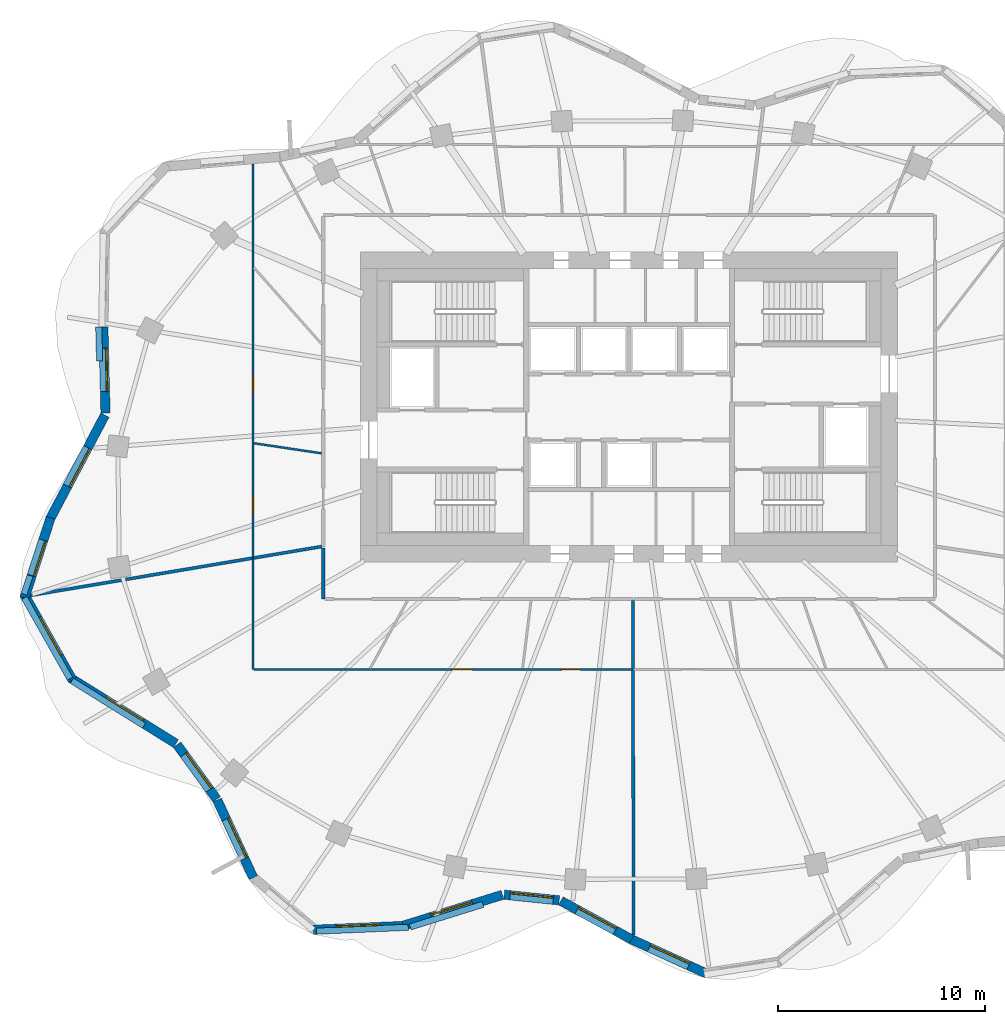
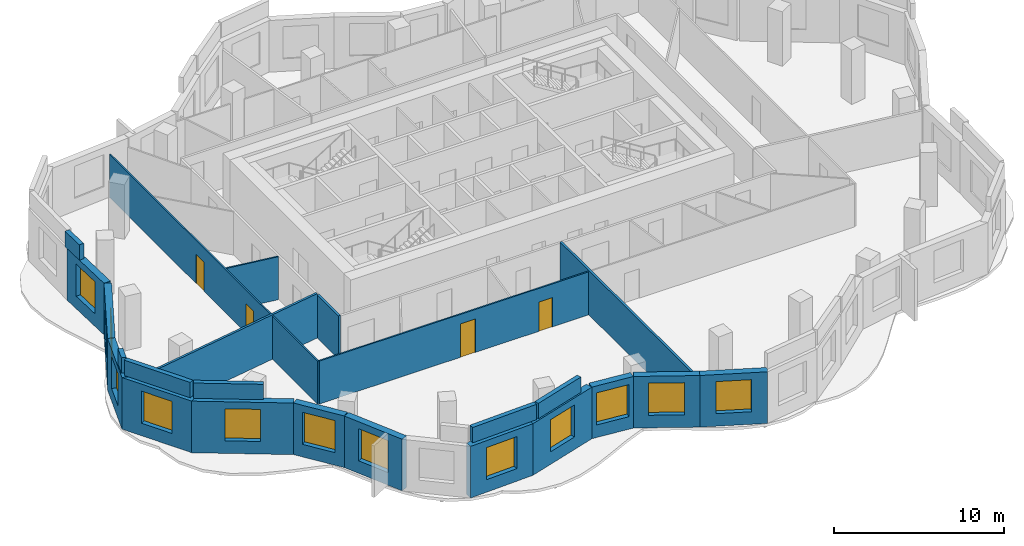
# One storey, part 3 of 9: 25 walls, 12 windows, 4 doors, 16 openings.
"""IFC4 building model written with IfcOpenShell, lengths in metres."""

import ifcopenshell
import ifcopenshell.guid

model = None  # the IFC model being written
_history = None  # IfcOwnerHistory: only IFC2X3 demands one
_inside = {}  # id of a spatial element -> (the spatial element, [elements in it])
_under = {}  # id of a project, library or spatial element -> (it, [spatial elements below it])
_declared = {}  # id of a project -> (the project, [libraries it declares])
_typed = {}  # id of a type object -> (the type object, [elements of that type])
_made_of = {}  # id of a material, layer set ... -> (it, [elements and type objects made of it])


def new_model(schema):
    """Start an empty IFC model of exactly this schema.

    Asked for "IFC4X3", IfcOpenShell would pick the latest addendum, in which some entities
    have other attributes; the version numbers below select the first issue.
    IFC2X3 requires an IfcOwnerHistory on every rooted entity: one is made here for all.
    """
    global model, _history
    if schema == "IFC4X3":
        model = ifcopenshell.file(schema_version=(4, 3, 0, 0))
    else:
        model = ifcopenshell.file(schema=schema)
    _inside.clear()
    _under.clear()
    _declared.clear()
    _typed.clear()
    _made_of.clear()
    _history = None
    if model.schema == "IFC2X3":
        org = make("IfcOrganization", Name="unknown")
        user = make(
            "IfcPersonAndOrganization",
            ThePerson=make("IfcPerson", FamilyName="unknown"),
            TheOrganization=org,
        )
        app = make(
            "IfcApplication",
            ApplicationDeveloper=org,
            Version="unknown",
            ApplicationFullName="unknown",
            ApplicationIdentifier="unknown",
        )
        _history = make(
            "IfcOwnerHistory",
            OwningUser=user,
            OwningApplication=app,
            ChangeAction="ADDED",
            CreationDate=0,
        )
    return model


def make(cls, **values):
    """One entity of the class cls with the attributes given. An attribute that is None is left unset."""
    return model.create_entity(
        cls, **{name: value for name, value in values.items() if value is not None}
    )


def rooted(cls, **values):
    """An entity with a GlobalId (a new one), such as an element, a storey or a relation."""
    return make(cls, GlobalId=ifcopenshell.guid.new(), OwnerHistory=_history, **values)


def si_unit(unit_type, name, prefix=None):
    """IfcSIUnit, for example si_unit("LENGTHUNIT", "METRE", prefix="MILLI")."""
    return make("IfcSIUnit", UnitType=unit_type, Prefix=prefix, Name=name)


def assignment(units):
    """IfcUnitAssignment: the units of a project."""
    return None if units is None else make("IfcUnitAssignment", Units=units)


def point(xyz):
    """IfcCartesianPoint."""
    return None if xyz is None else make("IfcCartesianPoint", Coordinates=xyz)


def direction(xyz):
    """IfcDirection."""
    return None if xyz is None else make("IfcDirection", DirectionRatios=xyz)


def frame(location, z_axis=None, x_axis=None):
    """IfcAxis2Placement3D, a coordinate frame: its origin and axes. An axis left out is left unset."""
    return make(
        "IfcAxis2Placement3D",
        Location=point(location),
        Axis=direction(z_axis),
        RefDirection=direction(x_axis),
    )


def frame_2d(location, x_axis=None):
    """IfcAxis2Placement2D, a coordinate frame in the plane: its origin and x axis."""
    return make(
        "IfcAxis2Placement2D", Location=point(location), RefDirection=direction(x_axis)
    )


def origin():
    """The frame at (0, 0, 0) with its axes left unset."""
    return frame((0.0, 0.0, 0.0))


def place(relative_to, where):
    """IfcLocalPlacement: puts the frame where relative to a parent placement (None: the world)."""
    return make(
        "IfcLocalPlacement", PlacementRelTo=relative_to, RelativePlacement=where
    )


def context(
    kind, dimensions, precision=None, world=None, true_north=None, identifier=None
):
    """IfcGeometricRepresentationContext, for example the 3D "Model" context."""
    return make(
        "IfcGeometricRepresentationContext",
        ContextIdentifier=identifier,
        ContextType=kind,
        CoordinateSpaceDimension=dimensions,
        Precision=precision,
        WorldCoordinateSystem=world,
        TrueNorth=true_north,
    )


def subcontext(parent, identifier, kind, view, scale=None):
    """IfcGeometricRepresentationSubContext, for example "Body" below "Model"."""
    return make(
        "IfcGeometricRepresentationSubContext",
        ContextIdentifier=identifier,
        ContextType=kind,
        ParentContext=parent,
        TargetScale=scale,
        TargetView=view,
    )


def project(units=None, contexts=None):
    """IfcProject with its units and contexts."""
    return rooted(
        "IfcProject",
        Name="project",
        RepresentationContexts=contexts,
        UnitsInContext=assignment(units),
    )


def spatial(cls, under=None, at=None, **own):
    """A site, building, storey or space (cls), placed at a placement, below another one or the project."""
    s = rooted(cls, ObjectPlacement=at, **own)
    if under is not None:
        _under.setdefault(under.id(), (under, []))[1].append(s)
    return s


def profile(cls, at=None, kind="AREA", **sizes):
    """A parametric profile (cls). Its sizes go by their IFC names, for example OverallWidth=200.0."""
    return make(cls, ProfileType=kind, Position=at, **sizes)


def rectangle(**sizes):
    """IfcRectangleProfileDef."""
    return profile("IfcRectangleProfileDef", **sizes)


def extrude(swept, where, along, depth):
    """IfcExtrudedAreaSolid: the profile swept, set in the frame where, extruded along a direction by depth."""
    return make(
        "IfcExtrudedAreaSolid",
        SweptArea=swept,
        Position=where,
        ExtrudedDirection=direction(along),
        Depth=depth,
    )


def shape(context_of_items, identifier, shape_type, items):
    """IfcShapeRepresentation: the items that make up one representation, for example the "Body"."""
    return make(
        "IfcShapeRepresentation",
        ContextOfItems=context_of_items,
        RepresentationIdentifier=identifier,
        RepresentationType=shape_type,
        Items=items,
    )


def material(Name=None, Category=None):
    """IfcMaterial."""
    return make("IfcMaterial", Name=Name, Category=Category)


def layer(
    of_material, thickness, ventilated=None, Name=None, Category=None, Priority=None
):
    """IfcMaterialLayer: one layer of a wall or slab, of a material (None: an air gap)."""
    return make(
        "IfcMaterialLayer",
        Material=of_material,
        LayerThickness=thickness,
        IsVentilated=ventilated,
        Name=Name,
        Category=Category,
        Priority=Priority,
    )


def layer_set(layers, Name=None):
    """IfcMaterialLayerSet."""
    return make("IfcMaterialLayerSet", MaterialLayers=layers, LayerSetName=Name)


def made_of(thing, what):
    """Note that an element or type object is made of a material, layer set ...; save() writes the relation."""
    if what is not None:
        _made_of.setdefault(what.id(), (what, []))[1].append(thing)
    return thing


def type_object(cls, material=None, **own):
    """A type object (cls), such as IfcWallType, which elements share."""
    return made_of(rooted(cls, **own), material)


def element(
    cls,
    number,
    at=None,
    inside=None,
    cuts=None,
    type_object=None,
    material=None,
    context=None,
    identifier="Body",
    shape_type=None,
    held_by="IfcProductDefinitionShape",
    body=None,
    shapes=None,
    **own,
):
    """One element of the class cls, such as IfcWall. Its Tag is "e" and its number.

    at: its placement. inside: the storey or other place that contains it. cuts: it is an
    opening in that element (IfcRelVoidsElement). A single representation is given by context,
    identifier, shape_type and body (its items); several are given by shapes. held_by: the class
    of the entity that holds the representations. save() writes the other relations.
    """
    e = rooted(cls, Tag="e%d" % number, ObjectPlacement=at, **own)
    if body is not None:
        shapes = [shape(context, identifier, shape_type, body)]
    if shapes is not None:
        e.Representation = make(held_by, Representations=shapes)
    if inside is not None:
        _inside.setdefault(inside.id(), (inside, []))[1].append(e)
    if cuts is not None:
        rooted(
            "IfcRelVoidsElement", RelatingBuildingElement=cuts, RelatedOpeningElement=e
        )
    if type_object is not None:
        _typed.setdefault(type_object.id(), (type_object, []))[1].append(e)
    return made_of(e, material)


def fill(opening, filler):
    """IfcRelFillsElement: the door or window that sits in an opening."""
    return rooted(
        "IfcRelFillsElement",
        RelatingOpeningElement=opening,
        RelatedBuildingElement=filler,
    )


def aggregate(whole, parts):
    """IfcRelAggregates: a whole, such as a stair, and the parts it consists of."""
    return rooted("IfcRelAggregates", RelatingObject=whole, RelatedObjects=parts)


def save(model, path):
    """Write the relations noted so far, then the file.

    IfcRelAggregates (storeys below a building ...), IfcRelContainedInSpatialStructure (elements
    in a storey), IfcRelDefinesByType, IfcRelAssociatesMaterial and IfcRelDeclares: one each for
    every whole, place, type object, material and project.
    """
    for whole, parts in _under.values():
        aggregate(whole, parts)
    for where, things in _inside.values():
        rooted(
            "IfcRelContainedInSpatialStructure",
            RelatedElements=things,
            RelatingStructure=where,
        )
    for kind, things in _typed.values():
        rooted("IfcRelDefinesByType", RelatedObjects=things, RelatingType=kind)
    for what, things in _made_of.values():
        rooted("IfcRelAssociatesMaterial", RelatedObjects=things, RelatingMaterial=what)
    for by, libraries in _declared.values():
        rooted("IfcRelDeclares", RelatingContext=by, RelatedDefinitions=libraries)
    model.write(path)


model = new_model("IFC4")

# Units and contexts
model_context = context("Model", 3, precision=1e-05, world=origin(), true_north=direction((0.0, 1.0)))
body_context = subcontext(model_context, "Body", "Model", "MODEL_VIEW")
ifc_project = project(units=[si_unit("LENGTHUNIT", "METRE"), si_unit("AREAUNIT", "SQUARE_METRE"), si_unit("VOLUMEUNIT", "CUBIC_METRE"), si_unit("PLANEANGLEUNIT", "RADIAN"), si_unit("MASSUNIT", "GRAM", prefix="KILO")], contexts=[model_context])

# Site, building, storey
site_placement = place(None, origin())
site = spatial("IfcSite", under=ifc_project, at=site_placement, CompositionType="ELEMENT")
building_placement = place(site_placement, origin())
building = spatial("IfcBuilding", under=site, at=building_placement, Name="Rubra Terraces Tower", CompositionType="ELEMENT")
storey_placement = place(building_placement, frame((0.0, 0.0, 225.300048828125)))
storey = spatial("IfcBuildingStorey", under=building, at=storey_placement, Name="L55", CompositionType="ELEMENT", Elevation=225.300048828125)

# Wall, opening, window
ifc_material_1 = material(Name="Brick masonry red-brown", Category="masonry")
ifc_layer_1 = layer(ifc_material_1, 0.449951171875)
ifc_layer_set_1 = layer_set([ifc_layer_1], Name="Brick masonry red-brown")
wall_type_1 = type_object("IfcWallType", Name="Brick facade wall 450", PredefinedType="SOLIDWALL", material=ifc_layer_set_1)
wall_1_placement = place(storey_placement, frame((-25.44091796875, 8.375, 0.0), z_axis=(0.0, 0.0, 1.0), x_axis=(0.024385850259, -0.999702620936, 0.0)))
wall_1 = element("IfcWall", 1, at=wall_1_placement, inside=storey, type_object=wall_type_1, Name="Facade wall L55 bay 19", PredefinedType="SOLIDWALL", context=body_context, shape_type="SweptSolid", body=[
    extrude(rectangle(XDim=4.164794921875, YDim=0.449951171875, at=frame_2d((2.08251953125, 0.0))), origin(), (0.0, 0.0, 1.0), 3.699951171875),
])
opening_1_placement = place(wall_1_placement, frame((1.032470703125, 0.0, 0.89990234375)))
opening_1 = element("IfcOpeningElement", 2, at=opening_1_placement, cuts=wall_1, Name="Opening W1B", PredefinedType="OPENING", context=body_context, shape_type="SweptSolid", body=[
    extrude(rectangle(XDim=2.10009765625, YDim=2.300048828125, at=frame_2d((1.050048828125, 1.14990234375))), frame((0.0, 0.23486328125, 0.0), z_axis=(0.0, -1.0, 0.0), x_axis=(1.0, 0.0, 0.0)), (0.0, 0.0, 1.0), 0.469970703125),
])
ifc_material_2 = material(Name="Clear glass in aluminium frame", Category="aluminium")
window_type_1 = type_object("IfcWindowType", Name="Fixed deep-set window tall storey 2100 x 2300", PartitioningType="SINGLE_PANEL", PredefinedType="WINDOW", material=ifc_material_2)
window_1_placement = place(opening_1_placement, origin())
window_1 = element("IfcWindow", 3, at=window_1_placement, inside=storey, type_object=window_type_1, Name="Window L55 bay 19", OverallHeight=2.300048828125, OverallWidth=2.10009765625, PartitioningType="SINGLE_PANEL", PredefinedType="WINDOW", context=body_context, shape_type="SweptSolid", body=[
    extrude(rectangle(XDim=2.10009765625, YDim=2.300048828125, at=frame_2d((1.050048828125, 1.14990234375))), frame((0.0, 0.135009765625, 0.0), z_axis=(0.0, -1.0, 0.0), x_axis=(1.0, 0.0, 0.0)), (0.0, 0.0, 1.0), 0.06005859375),
])
fill(opening_1, window_1)

wall_2_placement = place(storey_placement, frame((-25.365478515625, 4.10693359375, 0.0), z_axis=(0.0, 0.0, 1.0), x_axis=(-0.467239399168, -0.884130840919, 0.0)))
wall_2 = element("IfcWall", 4, at=wall_2_placement, inside=storey, type_object=wall_type_1, Name="Facade wall L55 bay 20", PredefinedType="SOLIDWALL", context=body_context, shape_type="SweptSolid", body=[
    extrude(rectangle(XDim=5.658935546875, YDim=0.449951171875, at=frame_2d((2.82958984375, 0.0))), origin(), (0.0, 0.0, 1.0), 3.699951171875),
])
opening_2_placement = place(wall_2_placement, frame((1.779296875, 0.0, 0.89990234375)))
opening_2 = element("IfcOpeningElement", 5, at=opening_2_placement, cuts=wall_2, Name="Opening W1B", PredefinedType="OPENING", context=body_context, shape_type="SweptSolid", body=[
    extrude(rectangle(XDim=2.10009765625, YDim=2.300048828125, at=frame_2d((1.050048828125, 1.14990234375))), frame((0.0, 0.23486328125, 0.0), z_axis=(0.0, -1.0, 0.0), x_axis=(1.0, 0.0, 0.0)), (0.0, 0.0, 1.0), 0.469970703125),
])
window_2_placement = place(opening_2_placement, origin())
window_2 = element("IfcWindow", 6, at=window_2_placement, inside=storey, type_object=window_type_1, Name="Window L55 bay 20", OverallHeight=2.300048828125, OverallWidth=2.10009765625, PartitioningType="SINGLE_PANEL", PredefinedType="WINDOW", context=body_context, shape_type="SweptSolid", body=[
    extrude(rectangle(XDim=2.10009765625, YDim=2.300048828125, at=frame_2d((1.050048828125, 1.14990234375))), frame((0.0, 0.135009765625, 0.0), z_axis=(0.0, -1.0, 0.0), x_axis=(1.0, 0.0, 0.0)), (0.0, 0.0, 1.0), 0.06005859375),
])
fill(opening_2, window_2)

wall_3_placement = place(storey_placement, frame((-27.99462890625, -0.861083984375, 0.0), z_axis=(0.0, 0.0, 1.0), x_axis=(-0.310693110673, -0.950510279261, 0.0)))
wall_3 = element("IfcWall", 7, at=wall_3_placement, inside=storey, type_object=wall_type_1, Name="Facade wall L55 bay 21", PredefinedType="SOLIDWALL", context=body_context, shape_type="SweptSolid", body=[
    extrude(rectangle(XDim=4.079833984375, YDim=0.449951171875, at=frame_2d((2.0400390625, 0.0))), origin(), (0.0, 0.0, 1.0), 3.699951171875),
])
opening_3_placement = place(wall_3_placement, frame((1.139892578125, 0.0, 0.89990234375)))
opening_3 = element("IfcOpeningElement", 8, at=opening_3_placement, cuts=wall_3, Name="Opening W6B", PredefinedType="OPENING", context=body_context, shape_type="SweptSolid", body=[
    extrude(rectangle(XDim=1.800048828125, YDim=2.300048828125, at=frame_2d((0.89990234375, 1.14990234375))), frame((0.0, 0.23486328125, 0.0), z_axis=(0.0, -1.0, 0.0), x_axis=(1.0, 0.0, 0.0)), (0.0, 0.0, 1.0), 0.469970703125),
])
window_type_2 = type_object("IfcWindowType", Name="Fixed deep-set window at wind fin tall storey 1800 x 2300", PartitioningType="SINGLE_PANEL", PredefinedType="WINDOW", material=ifc_material_2)
window_3_placement = place(opening_3_placement, origin())
window_3 = element("IfcWindow", 9, at=window_3_placement, inside=storey, type_object=window_type_2, Name="Window L55 bay 21", OverallHeight=2.300048828125, OverallWidth=1.800048828125, PartitioningType="SINGLE_PANEL", PredefinedType="WINDOW", context=body_context, shape_type="SweptSolid", body=[
    extrude(rectangle(XDim=1.800048828125, YDim=2.300048828125, at=frame_2d((0.89990234375, 1.14990234375))), frame((0.0, 0.135009765625, 0.0), z_axis=(0.0, -1.0, 0.0), x_axis=(1.0, 0.0, 0.0)), (0.0, 0.0, 1.0), 0.06005859375),
])
fill(opening_3, window_3)

wall_4_placement = place(storey_placement, frame((-29.280029296875, -4.558349609375, 0.0), z_axis=(0.0, 0.0, 1.0), x_axis=(0.491511608999, -0.870871022723, 0.0)))
wall_4 = element("IfcWall", 10, at=wall_4_placement, inside=storey, type_object=wall_type_1, Name="Facade wall L55 bay 22", PredefinedType="SOLIDWALL", context=body_context, shape_type="SweptSolid", body=[
    extrude(rectangle(XDim=4.762939453125, YDim=0.449951171875, at=frame_2d((2.38134765625, 0.0))), origin(), (0.0, 0.0, 1.0), 3.699951171875),
])
opening_4_placement = place(wall_4_placement, frame((1.33154296875, 0.0, 0.89990234375)))
opening_4 = element("IfcOpeningElement", 11, at=opening_4_placement, cuts=wall_4, Name="Opening W1B", PredefinedType="OPENING", context=body_context, shape_type="SweptSolid", body=[
    extrude(rectangle(XDim=2.10009765625, YDim=2.300048828125, at=frame_2d((1.050048828125, 1.14990234375))), frame((0.0, 0.23486328125, 0.0), z_axis=(0.0, -1.0, 0.0), x_axis=(1.0, 0.0, 0.0)), (0.0, 0.0, 1.0), 0.469970703125),
])
window_4_placement = place(opening_4_placement, origin())
window_4 = element("IfcWindow", 12, at=window_4_placement, inside=storey, type_object=window_type_1, Name="Window L55 bay 22", OverallHeight=2.300048828125, OverallWidth=2.10009765625, PartitioningType="SINGLE_PANEL", PredefinedType="WINDOW", context=body_context, shape_type="SweptSolid", body=[
    extrude(rectangle(XDim=2.10009765625, YDim=2.300048828125, at=frame_2d((1.050048828125, 1.14990234375))), frame((0.0, 0.135009765625, 0.0), z_axis=(0.0, -1.0, 0.0), x_axis=(1.0, 0.0, 0.0)), (0.0, 0.0, 1.0), 0.06005859375),
])
fill(opening_4, window_4)

wall_5_placement = place(storey_placement, frame((-27.01611328125, -8.6259765625, 0.0), z_axis=(0.0, 0.0, 1.0), x_axis=(0.849198377377, -0.528073968172, 0.0)))
wall_5 = element("IfcWall", 13, at=wall_5_placement, inside=storey, type_object=wall_type_1, Name="Facade wall L55 bay 23", PredefinedType="SOLIDWALL", context=body_context, shape_type="SweptSolid", body=[
    extrude(rectangle(XDim=5.989501953125, YDim=0.449951171875, at=frame_2d((2.99462890625, 0.0))), origin(), (0.0, 0.0, 1.0), 3.699951171875),
])
opening_5_placement = place(wall_5_placement, frame((1.944580078125, 0.0, 0.89990234375)))
opening_5 = element("IfcOpeningElement", 14, at=opening_5_placement, cuts=wall_5, Name="Opening W1B", PredefinedType="OPENING", context=body_context, shape_type="SweptSolid", body=[
    extrude(rectangle(XDim=2.10009765625, YDim=2.300048828125, at=frame_2d((1.050048828125, 1.14990234375))), frame((0.0, 0.23486328125, 0.0), z_axis=(0.0, -1.0, 0.0), x_axis=(1.0, 0.0, 0.0)), (0.0, 0.0, 1.0), 0.469970703125),
])
window_5_placement = place(opening_5_placement, origin())
window_5 = element("IfcWindow", 15, at=window_5_placement, inside=storey, type_object=window_type_1, Name="Window L55 bay 23", OverallHeight=2.300048828125, OverallWidth=2.10009765625, PartitioningType="SINGLE_PANEL", PredefinedType="WINDOW", context=body_context, shape_type="SweptSolid", body=[
    extrude(rectangle(XDim=2.10009765625, YDim=2.300048828125, at=frame_2d((1.050048828125, 1.14990234375))), frame((0.0, 0.135009765625, 0.0), z_axis=(0.0, -1.0, 0.0), x_axis=(1.0, 0.0, 0.0)), (0.0, 0.0, 1.0), 0.06005859375),
])
fill(opening_5, window_5)

wall_6_placement = place(storey_placement, frame((-21.872314453125, -11.840576171875, 0.0), z_axis=(0.0, 0.0, 1.0), x_axis=(0.587562050363, -0.809179113036, 0.0)))
wall_6 = element("IfcWall", 16, at=wall_6_placement, inside=storey, type_object=wall_type_1, Name="Facade wall L55 bay 24", PredefinedType="SOLIDWALL", context=body_context, shape_type="SweptSolid", body=[
    extrude(rectangle(XDim=3.262939453125, YDim=0.449951171875, at=frame_2d((1.63134765625, 0.0))), origin(), (0.0, 0.0, 1.0), 3.699951171875),
])
opening_6_placement = place(wall_6_placement, frame((0.58154296875, 0.0, 0.89990234375)))
opening_6 = element("IfcOpeningElement", 17, at=opening_6_placement, cuts=wall_6, Name="Opening W1B", PredefinedType="OPENING", context=body_context, shape_type="SweptSolid", body=[
    extrude(rectangle(XDim=2.10009765625, YDim=2.300048828125, at=frame_2d((1.050048828125, 1.14990234375))), frame((0.0, 0.23486328125, 0.0), z_axis=(0.0, -1.0, 0.0), x_axis=(1.0, 0.0, 0.0)), (0.0, 0.0, 1.0), 0.469970703125),
])
window_6_placement = place(opening_6_placement, origin())
window_6 = element("IfcWindow", 18, at=window_6_placement, inside=storey, type_object=window_type_1, Name="Window L55 bay 24", OverallHeight=2.300048828125, OverallWidth=2.10009765625, PartitioningType="SINGLE_PANEL", PredefinedType="WINDOW", context=body_context, shape_type="SweptSolid", body=[
    extrude(rectangle(XDim=2.10009765625, YDim=2.300048828125, at=frame_2d((1.050048828125, 1.14990234375))), frame((0.0, 0.135009765625, 0.0), z_axis=(0.0, -1.0, 0.0), x_axis=(1.0, 0.0, 0.0)), (0.0, 0.0, 1.0), 0.06005859375),
])
fill(opening_6, window_6)

wall_7_placement = place(storey_placement, frame((-19.9306640625, -14.519287109375, 0.0), z_axis=(0.0, 0.0, 1.0), x_axis=(0.421138964136, -0.906996126169, 0.0)))
wall_7 = element("IfcWall", 19, at=wall_7_placement, inside=storey, type_object=wall_type_1, Name="Facade wall L55 bay 25", PredefinedType="SOLIDWALL", context=body_context, shape_type="SweptSolid", body=[
    extrude(rectangle(XDim=4.149658203125, YDim=0.449951171875, at=frame_2d((2.07470703125, 0.0))), origin(), (0.0, 0.0, 1.0), 3.699951171875),
])
opening_7_placement = place(wall_7_placement, frame((1.02490234375, 0.0, 0.89990234375)))
opening_7 = element("IfcOpeningElement", 20, at=opening_7_placement, cuts=wall_7, Name="Opening W1B", PredefinedType="OPENING", context=body_context, shape_type="SweptSolid", body=[
    extrude(rectangle(XDim=2.10009765625, YDim=2.300048828125, at=frame_2d((1.050048828125, 1.14990234375))), frame((0.0, 0.23486328125, 0.0), z_axis=(0.0, -1.0, 0.0), x_axis=(1.0, 0.0, 0.0)), (0.0, 0.0, 1.0), 0.469970703125),
])
window_7_placement = place(opening_7_placement, origin())
window_7 = element("IfcWindow", 21, at=window_7_placement, inside=storey, type_object=window_type_1, Name="Window L55 bay 25", OverallHeight=2.300048828125, OverallWidth=2.10009765625, PartitioningType="SINGLE_PANEL", PredefinedType="WINDOW", context=body_context, shape_type="SweptSolid", body=[
    extrude(rectangle(XDim=2.10009765625, YDim=2.300048828125, at=frame_2d((1.050048828125, 1.14990234375))), frame((0.0, 0.135009765625, 0.0), z_axis=(0.0, -1.0, 0.0), x_axis=(1.0, 0.0, 0.0)), (0.0, 0.0, 1.0), 0.06005859375),
])
fill(opening_7, window_7)

wall_8_placement = place(storey_placement, frame((-15.283447265625, -20.798095703125, 0.0), z_axis=(0.0, 0.0, 1.0), x_axis=(0.999108814386, 0.042208731526, 0.0)))
wall_8 = element("IfcWall", 22, at=wall_8_placement, inside=storey, type_object=wall_type_1, Name="Facade wall L55 bay 27", PredefinedType="SOLIDWALL", context=body_context, shape_type="SweptSolid", body=[
    extrude(rectangle(XDim=4.338134765625, YDim=0.449951171875, at=frame_2d((2.1689453125, 0.0))), origin(), (0.0, 0.0, 1.0), 3.699951171875),
])
opening_8_placement = place(wall_8_placement, frame((1.119140625, 0.0, 0.89990234375)))
opening_8 = element("IfcOpeningElement", 23, at=opening_8_placement, cuts=wall_8, Name="Opening W1B", PredefinedType="OPENING", context=body_context, shape_type="SweptSolid", body=[
    extrude(rectangle(XDim=2.10009765625, YDim=2.300048828125, at=frame_2d((1.050048828125, 1.14990234375))), frame((0.0, 0.23486328125, 0.0), z_axis=(0.0, -1.0, 0.0), x_axis=(1.0, 0.0, 0.0)), (0.0, 0.0, 1.0), 0.469970703125),
])
window_8_placement = place(opening_8_placement, origin())
window_8 = element("IfcWindow", 24, at=window_8_placement, inside=storey, type_object=window_type_1, Name="Window L55 bay 27", OverallHeight=2.300048828125, OverallWidth=2.10009765625, PartitioningType="SINGLE_PANEL", PredefinedType="WINDOW", context=body_context, shape_type="SweptSolid", body=[
    extrude(rectangle(XDim=2.10009765625, YDim=2.300048828125, at=frame_2d((1.050048828125, 1.14990234375))), frame((0.0, 0.135009765625, 0.0), z_axis=(0.0, -1.0, 0.0), x_axis=(1.0, 0.0, 0.0)), (0.0, 0.0, 1.0), 0.06005859375),
])
fill(opening_8, window_8)

wall_9_placement = place(storey_placement, frame((-11.006591796875, -20.625, 0.0), z_axis=(0.0, 0.0, 1.0), x_axis=(0.954949254112, 0.296769139352, 0.0)))
wall_9 = element("IfcWall", 25, at=wall_9_placement, inside=storey, type_object=wall_type_1, Name="Facade wall L55 bay 28", PredefinedType="SOLIDWALL", context=body_context, shape_type="SweptSolid", body=[
    extrude(rectangle(XDim=5.106201171875, YDim=0.449951171875, at=frame_2d((2.55322265625, 0.0))), origin(), (0.0, 0.0, 1.0), 3.699951171875),
])
opening_9_placement = place(wall_9_placement, frame((1.503173828125, 0.0, 0.89990234375)))
opening_9 = element("IfcOpeningElement", 26, at=opening_9_placement, cuts=wall_9, Name="Opening W1B", PredefinedType="OPENING", context=body_context, shape_type="SweptSolid", body=[
    extrude(rectangle(XDim=2.10009765625, YDim=2.300048828125, at=frame_2d((1.050048828125, 1.14990234375))), frame((0.0, 0.23486328125, 0.0), z_axis=(0.0, -1.0, 0.0), x_axis=(1.0, 0.0, 0.0)), (0.0, 0.0, 1.0), 0.469970703125),
])
window_9_placement = place(opening_9_placement, origin())
window_9 = element("IfcWindow", 27, at=window_9_placement, inside=storey, type_object=window_type_1, Name="Window L55 bay 28", OverallHeight=2.300048828125, OverallWidth=2.10009765625, PartitioningType="SINGLE_PANEL", PredefinedType="WINDOW", context=body_context, shape_type="SweptSolid", body=[
    extrude(rectangle(XDim=2.10009765625, YDim=2.300048828125, at=frame_2d((1.050048828125, 1.14990234375))), frame((0.0, 0.135009765625, 0.0), z_axis=(0.0, -1.0, 0.0), x_axis=(1.0, 0.0, 0.0)), (0.0, 0.0, 1.0), 0.06005859375),
])
fill(opening_9, window_9)

wall_10_placement = place(storey_placement, frame((-6.040283203125, -19.1005859375, 0.0), z_axis=(0.0, 0.0, 1.0), x_axis=(0.994675968472, -0.103052014752, 0.0)))
wall_10 = element("IfcWall", 28, at=wall_10_placement, inside=storey, type_object=wall_type_1, Name="Facade wall L55 bay 29", PredefinedType="SOLIDWALL", context=body_context, shape_type="SweptSolid", body=[
    extrude(rectangle(XDim=2.669921875, YDim=0.449951171875, at=frame_2d((1.3349609375, 0.0))), origin(), (0.0, 0.0, 1.0), 3.699951171875),
])
opening_10_placement = place(wall_10_placement, frame((0.284912109375, 0.0, 0.89990234375)))
opening_10 = element("IfcOpeningElement", 29, at=opening_10_placement, cuts=wall_10, Name="Opening W1B", PredefinedType="OPENING", context=body_context, shape_type="SweptSolid", body=[
    extrude(rectangle(XDim=2.10009765625, YDim=2.300048828125, at=frame_2d((1.050048828125, 1.14990234375))), frame((0.0, 0.23486328125, 0.0), z_axis=(0.0, -1.0, 0.0), x_axis=(1.0, 0.0, 0.0)), (0.0, 0.0, 1.0), 0.469970703125),
])
window_10_placement = place(opening_10_placement, origin())
window_10 = element("IfcWindow", 30, at=window_10_placement, inside=storey, type_object=window_type_1, Name="Window L55 bay 29", OverallHeight=2.300048828125, OverallWidth=2.10009765625, PartitioningType="SINGLE_PANEL", PredefinedType="WINDOW", context=body_context, shape_type="SweptSolid", body=[
    extrude(rectangle(XDim=2.10009765625, YDim=2.300048828125, at=frame_2d((1.050048828125, 1.14990234375))), frame((0.0, 0.135009765625, 0.0), z_axis=(0.0, -1.0, 0.0), x_axis=(1.0, 0.0, 0.0)), (0.0, 0.0, 1.0), 0.06005859375),
])
fill(opening_10, window_10)

wall_11_placement = place(storey_placement, frame((-3.302001953125, -19.40087890625, 0.0), z_axis=(0.0, 0.0, 1.0), x_axis=(0.878060540763, -0.47854956562, 0.0)))
wall_11 = element("IfcWall", 31, at=wall_11_placement, inside=storey, type_object=wall_type_1, Name="Facade wall L55 bay 30", PredefinedType="SOLIDWALL", context=body_context, shape_type="SweptSolid", body=[
    extrude(rectangle(XDim=3.9013671875, YDim=0.449951171875, at=frame_2d((1.95068359375, 0.0))), origin(), (0.0, 0.0, 1.0), 3.699951171875),
])
opening_11_placement = place(wall_11_placement, frame((0.900634765625, 0.0, 0.89990234375)))
opening_11 = element("IfcOpeningElement", 32, at=opening_11_placement, cuts=wall_11, Name="Opening W1B", PredefinedType="OPENING", context=body_context, shape_type="SweptSolid", body=[
    extrude(rectangle(XDim=2.10009765625, YDim=2.300048828125, at=frame_2d((1.050048828125, 1.14990234375))), frame((0.0, 0.23486328125, 0.0), z_axis=(0.0, -1.0, 0.0), x_axis=(1.0, 0.0, 0.0)), (0.0, 0.0, 1.0), 0.469970703125),
])
window_11_placement = place(opening_11_placement, origin())
window_11 = element("IfcWindow", 33, at=window_11_placement, inside=storey, type_object=window_type_1, Name="Window L55 bay 30", OverallHeight=2.300048828125, OverallWidth=2.10009765625, PartitioningType="SINGLE_PANEL", PredefinedType="WINDOW", context=body_context, shape_type="SweptSolid", body=[
    extrude(rectangle(XDim=2.10009765625, YDim=2.300048828125, at=frame_2d((1.050048828125, 1.14990234375))), frame((0.0, 0.135009765625, 0.0), z_axis=(0.0, -1.0, 0.0), x_axis=(1.0, 0.0, 0.0)), (0.0, 0.0, 1.0), 0.06005859375),
])
fill(opening_11, window_11)

wall_12_placement = place(storey_placement, frame((0.109130859375, -21.260986328125, 0.0), z_axis=(0.0, 0.0, 1.0), x_axis=(0.910040573706, -0.414519184367, 0.0)))
wall_12 = element("IfcWall", 34, at=wall_12_placement, inside=storey, type_object=wall_type_1, Name="Facade wall L55 bay 31", PredefinedType="SOLIDWALL", context=body_context, shape_type="SweptSolid", body=[
    extrude(rectangle(XDim=4.005615234375, YDim=0.449951171875, at=frame_2d((2.0029296875, 0.0))), origin(), (0.0, 0.0, 1.0), 3.699951171875),
])
opening_12_placement = place(wall_12_placement, frame((0.952880859375, 0.0, 0.89990234375)))
opening_12 = element("IfcOpeningElement", 35, at=opening_12_placement, cuts=wall_12, Name="Opening W1B", PredefinedType="OPENING", context=body_context, shape_type="SweptSolid", body=[
    extrude(rectangle(XDim=2.10009765625, YDim=2.300048828125, at=frame_2d((1.050048828125, 1.14990234375))), frame((0.0, 0.23486328125, 0.0), z_axis=(0.0, -1.0, 0.0), x_axis=(1.0, 0.0, 0.0)), (0.0, 0.0, 1.0), 0.469970703125),
])
window_12_placement = place(opening_12_placement, origin())
window_12 = element("IfcWindow", 36, at=window_12_placement, inside=storey, type_object=window_type_1, Name="Window L55 bay 31", OverallHeight=2.300048828125, OverallWidth=2.10009765625, PartitioningType="SINGLE_PANEL", PredefinedType="WINDOW", context=body_context, shape_type="SweptSolid", body=[
    extrude(rectangle(XDim=2.10009765625, YDim=2.300048828125, at=frame_2d((1.050048828125, 1.14990234375))), frame((0.0, 0.135009765625, 0.0), z_axis=(0.0, -1.0, 0.0), x_axis=(1.0, 0.0, 0.0)), (0.0, 0.0, 1.0), 0.06005859375),
])
fill(opening_12, window_12)

# Walls
ifc_layer_2 = layer(ifc_material_1, 0.300048828125)
ifc_layer_set_2 = layer_set([ifc_layer_2], Name="Brick masonry red-brown")
wall_type_2 = type_object("IfcWallType", Name="Brick parapet 300", PredefinedType="PARAPET", material=ifc_layer_set_2)
wall_13_placement = place(storey_placement, frame((-25.665771484375, 8.375732421875, 3.89990234375), z_axis=(0.0, 0.0, 1.0), x_axis=(0.024357650064, -0.999703308429, 0.0)))
element("IfcWall", 37, at=wall_13_placement, inside=storey, type_object=wall_type_2, Name="Parapet L55 bay 19", PredefinedType="PARAPET", context=body_context, shape_type="SweptSolid", body=[
    extrude(rectangle(XDim=1.643798828125, YDim=0.300048828125, at=frame_2d((0.82177734375, 0.0))), origin(), (0.0, 0.0, 1.0), 1.10009765625),
])
wall_14_placement = place(storey_placement, frame((-28.987548828125, -3.657470703125, 3.89990234375), z_axis=(0.0, 0.0, 1.0), x_axis=(-0.310832502734, -0.950464704891, 0.0)))
element("IfcWall", 38, at=wall_14_placement, inside=storey, type_object=wall_type_2, Name="Parapet L55 bay 21", PredefinedType="PARAPET", context=body_context, shape_type="SweptSolid", body=[
    extrude(rectangle(XDim=0.951171875, YDim=0.300048828125, at=frame_2d((0.4755859375, 0.0))), origin(), (0.0, 0.0, 1.0), 1.10009765625),
])
wall_15_placement = place(storey_placement, frame((-29.265625, -4.736572265625, 3.89990234375), z_axis=(0.0, 0.0, 1.0), x_axis=(0.491480740547, -0.870888443873, 0.0)))
element("IfcWall", 39, at=wall_15_placement, inside=storey, type_object=wall_type_2, Name="Parapet L55 bay 22", PredefinedType="PARAPET", context=body_context, shape_type="SweptSolid", body=[
    extrude(rectangle(XDim=4.494140625, YDim=0.300048828125, at=frame_2d((2.2470703125, 0.0))), origin(), (0.0, 0.0, 1.0), 1.10009765625),
])
wall_16_placement = place(storey_placement, frame((-26.965087890625, -8.74609375, 3.89990234375), z_axis=(0.0, 0.0, 1.0), x_axis=(0.849203312007, -0.528066032686, 0.0)))
element("IfcWall", 40, at=wall_16_placement, inside=storey, type_object=wall_type_2, Name="Parapet L55 bay 23", PredefinedType="PARAPET", context=body_context, shape_type="SweptSolid", body=[
    extrude(rectangle(XDim=4.11279296875, YDim=0.300048828125, at=frame_2d((2.056396484375, 0.0))), origin(), (0.0, 0.0, 1.0), 1.10009765625),
])
wall_17_placement = place(storey_placement, frame((-15.133056640625, -20.866943359375, 3.89990234375), z_axis=(0.0, 0.0, 1.0), x_axis=(0.999109914186, 0.042182690458, 0.0)))
element("IfcWall", 41, at=wall_17_placement, inside=storey, type_object=wall_type_2, Name="Parapet L55 bay 27", PredefinedType="PARAPET", context=body_context, shape_type="SweptSolid", body=[
    extrude(rectangle(XDim=4.45068359375, YDim=0.300048828125, at=frame_2d((2.225341796875, 0.0))), origin(), (0.0, 0.0, 1.0), 1.10009765625),
])
wall_18_placement = place(storey_placement, frame((-10.589599609375, -20.662353515625, 3.89990234375), z_axis=(0.0, 0.0, 1.0), x_axis=(0.954933257017, 0.296820610207, 0.0)))
element("IfcWall", 42, at=wall_18_placement, inside=storey, type_object=wall_type_2, Name="Parapet L55 bay 28", PredefinedType="PARAPET", context=body_context, shape_type="SweptSolid", body=[
    extrude(rectangle(XDim=3.6806640625, YDim=0.300048828125, at=frame_2d((1.84033203125, 0.0))), origin(), (0.0, 0.0, 1.0), 1.10009765625),
])
ifc_material_3 = material(Name="Plasterboard on steel stud, mineral wool infill", Category="steel")
ifc_layer_3 = layer(ifc_material_3, 0.14990234375)
ifc_layer_set_3 = layer_set([ifc_layer_3], Name="Plasterboard on steel stud, mineral wool infill")
wall_type_3 = type_object("IfcWallType", Name="CORRIDOR PARTITION 150", PredefinedType="PARTITIONING", material=ifc_layer_set_3)
wall_19_placement = place(storey_placement, frame((-14.800048828125, -2.315185546875, 0.0), z_axis=(0.0, 0.0, 1.0), x_axis=(0.0, -1.0, 0.0)))
element("IfcWall", 43, at=wall_19_placement, inside=storey, type_object=wall_type_3, Name="PARTITION", PredefinedType="PARTITIONING", context=body_context, shape_type="SweptSolid", body=[
    extrude(rectangle(XDim=2.48486328125, YDim=0.14990234375, at=frame_2d((1.242431640625, 0.0))), origin(), (0.0, 0.0, 1.0), 3.083984375),
])

# Wall, openings, doors
ifc_material_4 = material(Name="Plasterboard on steel stud", Category="steel")
ifc_layer_4 = layer(ifc_material_4, 0.10009765625)
ifc_layer_set_4 = layer_set([ifc_layer_4], Name="Plasterboard on steel stud")
wall_type_4 = type_object("IfcWallType", Name="ROOM PARTITION 100", PredefinedType="PARTITIONING", material=ifc_layer_set_4)
wall_20_placement = place(storey_placement, frame((-18.199951171875, -2.790283203125, 0.0), z_axis=(0.0, 0.0, 1.0), x_axis=(0.0, 1.0, 0.0)))
wall_20 = element("IfcWall", 44, at=wall_20_placement, inside=storey, type_object=wall_type_4, Name="PARTITION", PredefinedType="PARTITIONING", context=body_context, shape_type="SweptSolid", body=[
    extrude(rectangle(XDim=19.0439453125, YDim=0.10009765625, at=frame_2d((9.52197265625, 0.0))), origin(), (0.0, 0.0, 1.0), 3.083984375),
])
opening_13_placement = place(wall_20_placement, frame((7.950927734375, 0.0, 0.0)))
opening_13 = element("IfcOpeningElement", 45, at=opening_13_placement, cuts=wall_20, Name="Opening 55-104", PredefinedType="OPENING", context=body_context, shape_type="SweptSolid", body=[
    extrude(rectangle(XDim=0.89990234375, YDim=2.10009765625, at=frame_2d((0.449951171875, 1.050048828125))), frame((0.0, 0.06005859375, 0.0), z_axis=(0.0, -1.0, 0.0), x_axis=(1.0, 0.0, 0.0)), (0.0, 0.0, 1.0), 0.1201171875),
])
opening_14_placement = place(wall_20_placement, frame((2.115966796875, 0.0, 0.0)))
opening_14 = element("IfcOpeningElement", 46, at=opening_14_placement, cuts=wall_20, Name="Opening 55-105", PredefinedType="OPENING", context=body_context, shape_type="SweptSolid", body=[
    extrude(rectangle(XDim=0.89990234375, YDim=2.10009765625, at=frame_2d((0.449951171875, 1.050048828125))), frame((0.0, 0.06005859375, 0.0), z_axis=(0.0, -1.0, 0.0), x_axis=(1.0, 0.0, 0.0)), (0.0, 0.0, 1.0), 0.1201171875),
])
ifc_material_5 = material(Name="Painted timber door leaf", Category="wood")
door_type_1 = type_object("IfcDoorType", Name="ROOM DOOR 900 X 2100", OperationType="SINGLE_SWING_LEFT", PredefinedType="DOOR", material=ifc_material_5)
door_1_placement = place(opening_13_placement, origin())
door_1 = element("IfcDoor", 47, at=door_1_placement, inside=storey, type_object=door_type_1, Name="DOOR 55-104", OperationType="SINGLE_SWING_LEFT", OverallHeight=2.10009765625, OverallWidth=0.89990234375, PredefinedType="DOOR", context=body_context, shape_type="SweptSolid", body=[
    extrude(rectangle(XDim=0.89990234375, YDim=2.10009765625, at=frame_2d((0.449951171875, 1.050048828125))), frame((0.0, 0.02490234375, 0.0), z_axis=(0.0, -1.0, 0.0), x_axis=(1.0, 0.0, 0.0)), (0.0, 0.0, 1.0), 0.050048828125),
])
fill(opening_13, door_1)
door_2_placement = place(opening_14_placement, origin())
door_2 = element("IfcDoor", 48, at=door_2_placement, inside=storey, type_object=door_type_1, Name="DOOR 55-105", OperationType="SINGLE_SWING_LEFT", OverallHeight=2.10009765625, OverallWidth=0.89990234375, PredefinedType="DOOR", context=body_context, shape_type="SweptSolid", body=[
    extrude(rectangle(XDim=0.89990234375, YDim=2.10009765625, at=frame_2d((0.449951171875, 1.050048828125))), frame((0.0, 0.02490234375, 0.0), z_axis=(0.0, -1.0, 0.0), x_axis=(1.0, 0.0, 0.0)), (0.0, 0.0, 1.0), 0.050048828125),
])
fill(opening_14, door_2)

# Walls
wall_21_placement = place(storey_placement, frame((-14.874267578125, 2.25732421875, 0.0), z_axis=(0.0, 0.0, 1.0), x_axis=(-0.989042600295, 0.147630399314, 0.0)))
element("IfcWall", 49, at=wall_21_placement, inside=storey, type_object=wall_type_4, Name="PARTITION", PredefinedType="PARTITIONING", context=body_context, shape_type="SweptSolid", body=[
    extrude(rectangle(XDim=3.3125, YDim=0.10009765625, at=frame_2d((1.65625, 0.0))), origin(), (0.0, 0.0, 1.0), 3.083984375),
])
wall_22_placement = place(storey_placement, frame((-18.199951171875, -8.199951171875, 0.0), z_axis=(0.0, 0.0, 1.0), x_axis=(0.0, 1.0, 0.0)))
element("IfcWall", 50, at=wall_22_placement, inside=storey, type_object=wall_type_4, Name="PARTITION", PredefinedType="PARTITIONING", context=body_context, shape_type="SweptSolid", body=[
    extrude(rectangle(XDim=5.369140625, YDim=0.10009765625, at=frame_2d((2.6845703125, 0.0))), origin(), (0.0, 0.0, 1.0), 3.083984375),
])

# Wall, openings, doors
wall_23_placement = place(storey_placement, frame((0.169189453125, -8.199951171875, 0.0), z_axis=(0.0, 0.0, 1.0), x_axis=(-1.0, 0.0, 0.0)))
wall_23 = element("IfcWall", 51, at=wall_23_placement, inside=storey, type_object=wall_type_4, Name="PARTITION", PredefinedType="PARTITIONING", context=body_context, shape_type="SweptSolid", body=[
    extrude(rectangle(XDim=18.319091796875, YDim=0.10009765625, at=frame_2d((9.15966796875, 0.0))), origin(), (0.0, 0.0, 1.0), 3.083984375),
])
opening_15_placement = place(wall_23_placement, frame((2.52294921875, 0.0, 0.0)))
opening_15 = element("IfcOpeningElement", 52, at=opening_15_placement, cuts=wall_23, Name="Opening 55-108", PredefinedType="OPENING", context=body_context, shape_type="SweptSolid", body=[
    extrude(rectangle(XDim=0.89990234375, YDim=2.10009765625, at=frame_2d((0.449951171875, 1.050048828125))), frame((0.0, 0.06005859375, 0.0), z_axis=(0.0, -1.0, 0.0), x_axis=(1.0, 0.0, 0.0)), (0.0, 0.0, 1.0), 0.1201171875),
])
opening_16_placement = place(wall_23_placement, frame((7.75, 0.0, 0.0)))
opening_16 = element("IfcOpeningElement", 53, at=opening_16_placement, cuts=wall_23, Name="Opening 55-123", PredefinedType="OPENING", context=body_context, shape_type="SweptSolid", body=[
    extrude(rectangle(XDim=1.0, YDim=2.39990234375, at=frame_2d((0.5, 1.199951171875))), frame((0.0, 0.06005859375, 0.0), z_axis=(0.0, -1.0, 0.0), x_axis=(1.0, 0.0, 0.0)), (0.0, 0.0, 1.0), 0.1201171875),
])
ifc_material_6 = material(Name="Glazed aluminium meeting door leaf", Category="aluminium")
door_type_2 = type_object("IfcDoorType", Name="MEETING ROOM GLAZED DOOR 1000 X 2400", OperationType="SINGLE_SWING_LEFT", PredefinedType="DOOR", material=ifc_material_6)
door_3_placement = place(opening_16_placement, origin())
door_3 = element("IfcDoor", 54, at=door_3_placement, inside=storey, type_object=door_type_2, Name="DOOR 55-123", OperationType="SINGLE_SWING_LEFT", OverallHeight=2.39990234375, OverallWidth=1.0, PredefinedType="DOOR", context=body_context, shape_type="SweptSolid", body=[
    extrude(rectangle(XDim=1.0, YDim=2.39990234375, at=frame_2d((0.5, 1.199951171875))), frame((0.0, 0.02490234375, 0.0), z_axis=(0.0, -1.0, 0.0), x_axis=(1.0, 0.0, 0.0)), (0.0, 0.0, 1.0), 0.050048828125),
])
fill(opening_16, door_3)
door_4_placement = place(opening_15_placement, origin())
door_4 = element("IfcDoor", 55, at=door_4_placement, inside=storey, type_object=door_type_1, Name="DOOR 55-108", OperationType="SINGLE_SWING_LEFT", OverallHeight=2.10009765625, OverallWidth=0.89990234375, PredefinedType="DOOR", context=body_context, shape_type="SweptSolid", body=[
    extrude(rectangle(XDim=0.89990234375, YDim=2.10009765625, at=frame_2d((0.449951171875, 1.050048828125))), frame((0.0, 0.02490234375, 0.0), z_axis=(0.0, -1.0, 0.0), x_axis=(1.0, 0.0, 0.0)), (0.0, 0.0, 1.0), 0.050048828125),
])
fill(opening_15, door_4)

# Walls
ifc_layer_5 = layer(ifc_material_4, 0.14990234375)
ifc_layer_set_5 = layer_set([ifc_layer_5], Name="Plasterboard on steel stud")
wall_type_5 = type_object("IfcWallType", Name="ROOM PARTITION 150", PredefinedType="PARTITIONING", material=ifc_layer_set_5)
wall_24_placement = place(storey_placement, frame((-28.982177734375, -4.61962890625, 0.0), z_axis=(0.0, 0.0, 1.0), x_axis=(0.986213908907, 0.165475454008, 0.0)))
element("IfcWall", 56, at=wall_24_placement, inside=storey, type_object=wall_type_5, Name="PARTITION", PredefinedType="PARTITIONING", context=body_context, shape_type="SweptSolid", body=[
    extrude(rectangle(XDim=14.305419921875, YDim=0.14990234375, at=frame_2d((7.15283203125, 0.0))), origin(), (0.0, 0.0, 1.0), 3.183837890625),
])
wall_25_placement = place(storey_placement, frame((0.21923828125, -21.059326171875, 0.0), z_axis=(0.0, 0.0, 1.0), x_axis=(-0.002338169228, 0.999997266479, 0.0)))
element("IfcWall", 57, at=wall_25_placement, inside=storey, type_object=wall_type_5, Name="PARTITION", PredefinedType="PARTITIONING", context=body_context, shape_type="SweptSolid", body=[
    extrude(rectangle(XDim=16.184326171875, YDim=0.14990234375, at=frame_2d((8.09228515625, 0.0))), origin(), (0.0, 0.0, 1.0), 3.183837890625),
])

save(model, "model.ifc")
